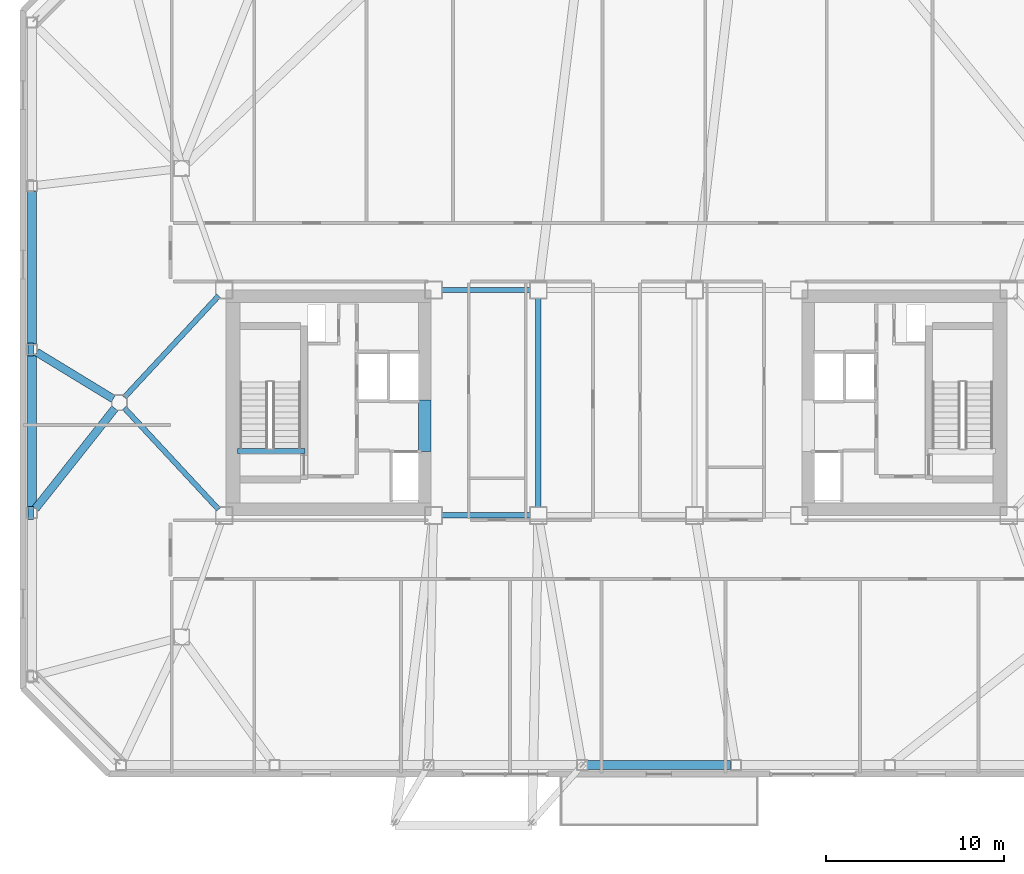
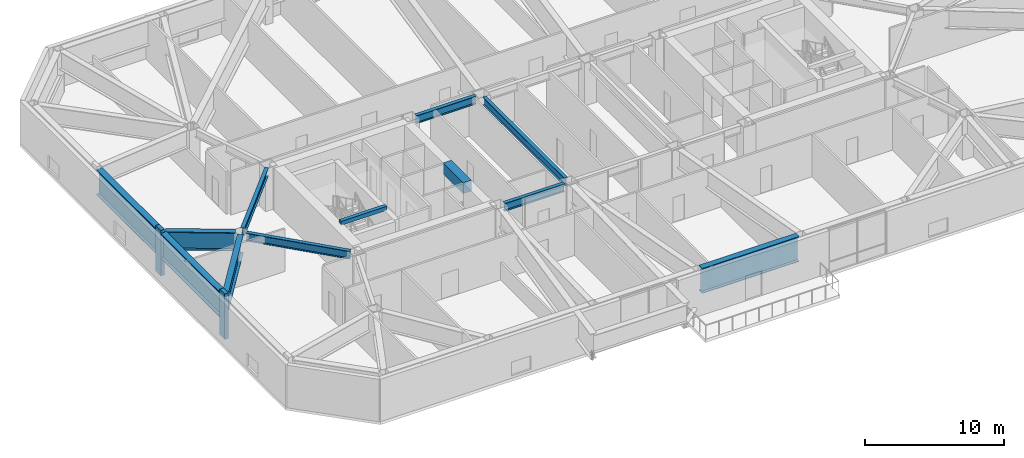
# One storey, part 3 of 18: 12 beams, 2 members.
"""IFC4 building model written with IfcOpenShell, lengths in metres."""

from ifc_helpers import new_model, si_unit, direction, frame, origin, origin_2d, place, context, subcontext, project, spatial, rectangle, i_section, extrude, material, material_profile, profile_set, type_object, element, save


model = new_model("IFC4")

# Units and contexts
model_context = context("Model", 3, precision=1e-05, world=origin(), true_north=direction((0.0, 1.0)))
body_context = subcontext(model_context, "Body", "Model", "MODEL_VIEW")
ifc_project = project(units=[si_unit("LENGTHUNIT", "METRE"), si_unit("AREAUNIT", "SQUARE_METRE"), si_unit("VOLUMEUNIT", "CUBIC_METRE"), si_unit("PLANEANGLEUNIT", "RADIAN"), si_unit("MASSUNIT", "GRAM", prefix="KILO")], contexts=[model_context])

# Site, building, storey
site_placement = place(None, origin())
site = spatial("IfcSite", under=ifc_project, at=site_placement, CompositionType="ELEMENT")
building_placement = place(site_placement, origin())
building = spatial("IfcBuilding", under=site, at=building_placement, Name="Tavrogorsk Clinical Tower", CompositionType="ELEMENT")
storey_placement = place(building_placement, frame((0.0, 0.0, 152.199951171875)))
storey = spatial("IfcBuildingStorey", under=building, at=storey_placement, Name="L34", CompositionType="ELEMENT", Elevation=152.199951171875)

# Beam
ifc_material_1 = material(Name="Concrete B80", Category="concrete")
ifc_material_profile_1 = material_profile(ifc_material_1, rectangle(XDim=0.699951171875, YDim=0.949951171875, at=origin_2d()), Name="RC-CB-700x950")
ifc_profile_set_1 = profile_set([ifc_material_profile_1], Name="Concrete B80")
beam_type_1 = type_object("IfcBeamType", Name="CouplingBeam_RC700x950", PredefinedType="LINTEL", material=ifc_profile_set_1)
beam_1_placement = place(storey_placement, frame((-10.800048828125, -2.75, 3.26513671875), z_axis=(0.0, 1.0, 0.0), x_axis=(-1.0, 0.0, 0.0)))
element("IfcBeam", 1, at=beam_1_placement, inside=storey, type_object=beam_type_1, Name="L34 Core West Coupling Beam", PredefinedType="LINTEL", context=body_context, shape_type="SweptSolid", body=[
    extrude(rectangle(XDim=0.699951171875, YDim=0.949951171875, at=origin_2d()), origin(), (0.0, 0.0, 1.0), 2.89990234375),
])

# Members
ifc_material_2 = material(Name="Precast concrete B45 with limestone cladding", Category="masonry")
ifc_material_profile_2 = material_profile(ifc_material_2, rectangle(XDim=0.320068359375, YDim=0.719970703125, at=origin_2d()), Name="LIMESTONE-FIN-320x720")
ifc_profile_set_2 = profile_set([ifc_material_profile_2], Name="Precast concrete B45 with limestone cladding")
member_type = type_object("IfcMemberType", Name="LimestonePleatFin_320x720", PredefinedType="USERDEFINED", material=ifc_profile_set_2)
for number, where, z_axis, x_axis, name in (
    (2, (-33.0, 3.0, 0.0), (0.0, 0.0, 1.0), (1.0, 0.0, 0.0), "L34 W Pleated Stone Fin 2"),
    (3, (-33.0, -6.2099609375, 0.0), (0.0, 0.0, 1.0), (1.0, 0.0, 0.0), "L34 W Pleated Stone Fin 3"),
):
    element("IfcMember", number, at=place(storey_placement, frame(where, z_axis=z_axis, x_axis=x_axis)), inside=storey, type_object=member_type, Name=name, ObjectType="FIN", PredefinedType="USERDEFINED", context=body_context, shape_type="SweptSolid", body=[
        extrude(rectangle(XDim=0.320068359375, YDim=0.719970703125, at=origin_2d()), origin(), (0.0, 0.0, 1.0), 4.0),
    ])

# Beams
ifc_material_3 = material(Name="Structural steel S390", Category="steel")
ifc_material_profile_3 = material_profile(ifc_material_3, i_section(OverallWidth=0.300048828125, OverallDepth=0.699951171875, WebThickness=0.01708984375, FlangeThickness=0.028076171875, at=origin_2d()), Name="B-700x300x17x28")
ifc_profile_set_3 = profile_set([ifc_material_profile_3], Name="Structural steel S390")
beam_type_2 = type_object("IfcBeamType", Name="PrimaryGirder_B700", PredefinedType="USERDEFINED", material=ifc_profile_set_3)
for number, where, z_axis, x_axis, name in (
    (4, (-9.840087890625, -6.35009765625, 3.39013671875), (1.0, 0.0, 0.0), (0.0, 1.0, 0.0), "L34 Primary Spine Girder MG-01"),
    (5, (-9.840087890625, 6.35009765625, 3.39013671875), (1.0, 0.0, 0.0), (0.0, 1.0, 0.0), "L34 Primary Spine Girder MG-02"),
):
    element("IfcBeam", number, at=place(storey_placement, frame(where, z_axis=z_axis, x_axis=x_axis)), inside=storey, type_object=beam_type_2, Name=name, ObjectType="GIRDER", PredefinedType="USERDEFINED", context=body_context, shape_type="SweptSolid", body=[
        extrude(i_section(OverallWidth=0.300048828125, OverallDepth=0.699951171875, WebThickness=0.01708984375, FlangeThickness=0.028076171875, at=origin_2d()), origin(), (0.0, 0.0, 1.0), 4.97998046875),
    ])
beam_2_placement = place(storey_placement, frame((-4.39990234375, -5.889892578125, 3.39013671875), z_axis=(0.0, 1.0, 0.0), x_axis=(-1.0, 0.0, 0.0)))
element("IfcBeam", 6, at=beam_2_placement, inside=storey, type_object=beam_type_2, Name="L34 Primary Spine Girder MG-07", ObjectType="GIRDER", PredefinedType="USERDEFINED", context=body_context, shape_type="SweptSolid", body=[
    extrude(i_section(OverallWidth=0.300048828125, OverallDepth=0.699951171875, WebThickness=0.01708984375, FlangeThickness=0.028076171875, at=origin_2d()), origin(), (0.0, 0.0, 1.0), 11.77978515625),
])
for number, where, z_axis, x_axis, name in (
    (7, (-27.720947265625, -0.30029296875, 3.39013671875), (0.680675630035, -0.732584934787, 0.0), (0.732584934787, 0.680675630035, 0.0), "L34 Spine Link Girder OPG-5"),
    (8, (-27.720947265625, 0.30029296875, 3.39013671875), (0.680675630035, 0.732584934787, 0.0), (-0.732584934787, 0.680675630035, 0.0), "L34 Spine Link Girder OPG-6"),
):
    element("IfcBeam", number, at=place(storey_placement, frame(where, z_axis=z_axis, x_axis=x_axis)), inside=storey, type_object=beam_type_2, Name=name, ObjectType="GIRDER", PredefinedType="USERDEFINED", context=body_context, shape_type="SweptSolid", body=[
        extrude(i_section(OverallWidth=0.300048828125, OverallDepth=0.699951171875, WebThickness=0.01708984375, FlangeThickness=0.028076171875, at=origin_2d()), origin(), (0.0, 0.0, 1.0), 7.7978515625),
    ])
ifc_material_4 = material(Name="Concrete B60", Category="concrete")
ifc_material_profile_4 = material_profile(ifc_material_4, rectangle(XDim=0.300048828125, YDim=0.35009765625, at=origin_2d()), Name="RC-SHB-300x350")
ifc_profile_set_4 = profile_set([ifc_material_profile_4], Name="Concrete B60")
beam_type_3 = type_object("IfcBeamType", Name="StairHeaderBeam_RC300x350", PredefinedType="BEAM", material=ifc_profile_set_4)
beam_3_placement = place(storey_placement, frame((-21.35009765625, -2.719970703125, 3.824951171875), z_axis=(1.0, 0.0, 0.0), x_axis=(0.0, 1.0, 0.0)))
element("IfcBeam", 9, at=beam_3_placement, inside=storey, type_object=beam_type_3, Name="L35 ST-W Landing Header Beam", PredefinedType="BEAM", context=body_context, shape_type="SweptSolid", body=[
    extrude(rectangle(XDim=0.300048828125, YDim=0.35009765625, at=origin_2d()), origin(), (0.0, 0.0, 1.0), 3.800048828125),
])
ifc_material_5 = material(Name="Structural steel S440", Category="steel")
ifc_material_profile_5 = material_profile(ifc_material_5, i_section(OverallWidth=0.449951171875, OverallDepth=1.60009765625, WebThickness=0.031982421875, FlangeThickness=0.050048828125, at=origin_2d()), Name="DK-1600x450x32x50")
ifc_profile_set_5 = profile_set([ifc_material_profile_5], Name="Structural steel S440")
beam_type_4 = type_object("IfcBeamType", Name="TransferGirder_DK1600", PredefinedType="USERDEFINED", material=ifc_profile_set_5)
beam_4_placement = place(storey_placement, frame((-28.35009765625, 0.21337890625, 2.93994140625), z_axis=(-0.853789879369, 0.520617750262, 0.0), x_axis=(-0.520617750262, -0.853789879369, 0.0)))
element("IfcBeam", 10, at=beam_4_placement, inside=storey, type_object=beam_type_4, Name="L34 Radial Floor Beam W3", ObjectType="GIRDER", PredefinedType="USERDEFINED", context=body_context, shape_type="SweptSolid", body=[
    extrude(i_section(OverallWidth=0.449951171875, OverallDepth=1.60009765625, WebThickness=0.031982421875, FlangeThickness=0.050048828125, at=origin_2d()), origin(), (0.0, 0.0, 1.0), 5.04443359375),
])
beam_5_placement = place(storey_placement, frame((-28.254638671875, -0.3212890625, 2.93994140625), z_axis=(-0.620993662543, -0.783815584868, 0.0), x_axis=(0.783815584868, -0.620993662543, 0.0)))
element("IfcBeam", 11, at=beam_5_placement, inside=storey, type_object=beam_type_4, Name="L34 Radial Floor Beam W4", ObjectType="GIRDER", PredefinedType="USERDEFINED", context=body_context, shape_type="SweptSolid", body=[
    extrude(i_section(OverallWidth=0.449951171875, OverallDepth=1.60009765625, WebThickness=0.031982421875, FlangeThickness=0.050048828125, at=origin_2d()), origin(), (0.0, 0.0, 1.0), 7.204833984375),
])
ifc_material_6 = material(Name="Structural steel S440", Category="steel")
ifc_material_profile_6 = material_profile(ifc_material_6, i_section(OverallWidth=0.5, OverallDepth=2.199951171875, WebThickness=0.035888671875, FlangeThickness=0.054931640625, at=origin_2d()), Name="DK-2200x500x36x55")
ifc_profile_set_6 = profile_set([ifc_material_profile_6], Name="Structural steel S440")
beam_type_5 = type_object("IfcBeamType", Name="TransferGirder_DK2200", PredefinedType="USERDEFINED", material=ifc_profile_set_6)
beam_6_placement = place(storey_placement, frame((-1.623291015625, -20.419921875, 2.64013671875), z_axis=(1.0, 0.0, 0.0), x_axis=(0.0, 1.0, 0.0)))
element("IfcBeam", 12, at=beam_6_placement, inside=storey, type_object=beam_type_5, Name="L34 Perimeter Spandrel S4-S5", ObjectType="GIRDER", PredefinedType="USERDEFINED", context=body_context, shape_type="SweptSolid", body=[
    extrude(i_section(OverallWidth=0.5, OverallDepth=2.199951171875, WebThickness=0.035888671875, FlangeThickness=0.054931640625, at=origin_2d()), origin(), (0.0, 0.0, 1.0), 8.046630859375),
])
for number, where, z_axis, x_axis, name in (
    (13, (-32.919921875, 11.902099609375, 2.64013671875), (0.0, -1.0, 0.0), (1.0, 0.0, 0.0), "L34 Perimeter Spandrel W2-W3"),
    (14, (-32.919921875, 2.69189453125, 2.64013671875), (0.0, -1.0, 0.0), (1.0, 0.0, 0.0), "L34 Perimeter Spandrel W3-W4"),
):
    element("IfcBeam", number, at=place(storey_placement, frame(where, z_axis=z_axis, x_axis=x_axis)), inside=storey, type_object=beam_type_5, Name=name, ObjectType="GIRDER", PredefinedType="USERDEFINED", context=body_context, shape_type="SweptSolid", body=[
        extrude(i_section(OverallWidth=0.5, OverallDepth=2.199951171875, WebThickness=0.035888671875, FlangeThickness=0.054931640625, at=origin_2d()), origin(), (0.0, 0.0, 1.0), 8.593994140625),
    ])

save(model, "model.ifc")
